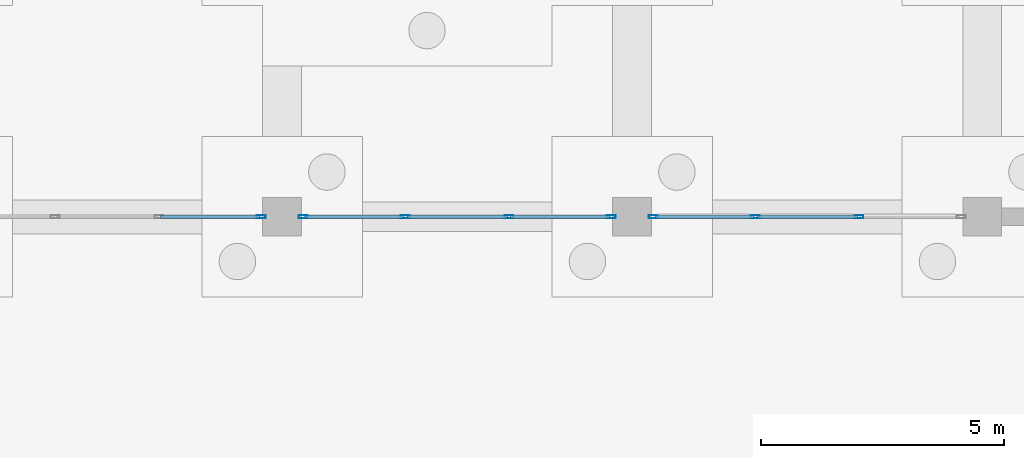
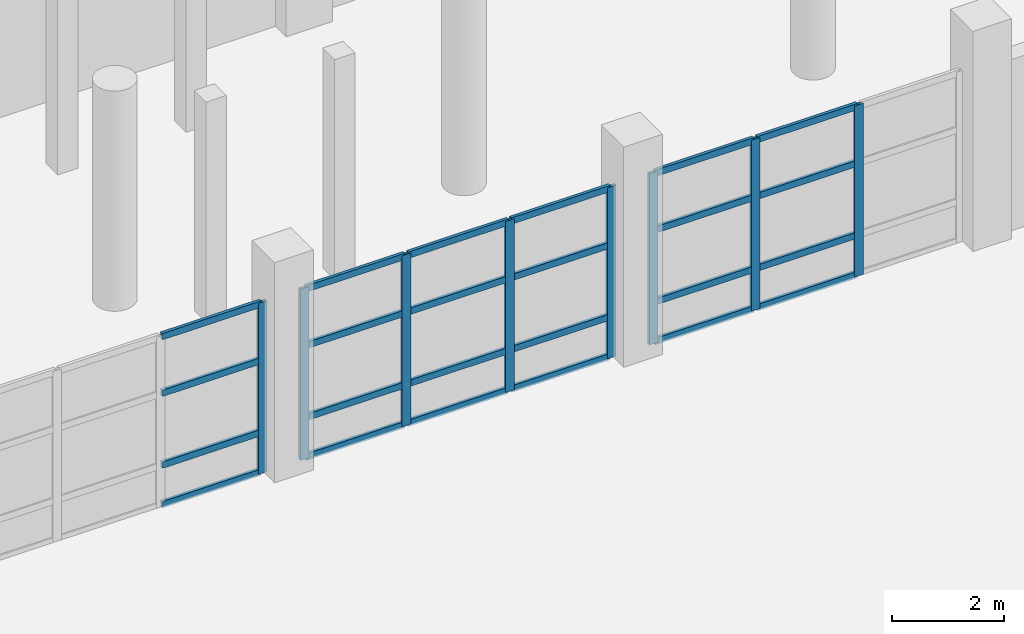
# One storey, part 22 of 42: 32 members, 3 elements without a shape of their own.
"""IFC4 building model written with IfcOpenShell, lengths in metres."""

from ifc_helpers import new_model, si_unit, direction, frame, origin, origin_2d, place, context, subcontext, project, spatial, hollow_rectangle, extrude, material, material_profile, profile_set, type_object, element, aggregate, save


model = new_model("IFC4")

# Units and contexts
model_context = context("Model", 3, precision=1e-05, world=origin(), true_north=direction((0.0, 1.0)))
body_context = subcontext(model_context, "Body", "Model", "MODEL_VIEW")
ifc_project = project(units=[si_unit("LENGTHUNIT", "METRE"), si_unit("AREAUNIT", "SQUARE_METRE"), si_unit("VOLUMEUNIT", "CUBIC_METRE"), si_unit("PLANEANGLEUNIT", "RADIAN"), si_unit("MASSUNIT", "GRAM", prefix="KILO")], contexts=[model_context])

# Site, building, storey
site_placement = place(None, origin())
site = spatial("IfcSite", under=ifc_project, at=site_placement, CompositionType="ELEMENT")
building_placement = place(site_placement, origin())
building = spatial("IfcBuilding", under=site, at=building_placement, Name="Pellamere Symphony Hall", CompositionType="ELEMENT")
storey_placement = place(building_placement, frame((0.0, 0.0, -4.800048828125)))
storey = spatial("IfcBuildingStorey", under=building, at=storey_placement, Name="B1", CompositionType="ELEMENT", Elevation=-4.800048828125)

# Curtain wall, member
ifc_material_1 = material(Name="Thermally Broken Anodised Aluminium 6063-T6 Curtain Wall", Category="aluminium")
curtain_wall_type = type_object("IfcCurtainWallType", Name="Curtain Wall CW-02 (Winter-Garden South Concourse Curtain Wall)", PredefinedType="NOTDEFINED", material=ifc_material_1)
curtain_wall_1_placement = place(storey_placement, origin())
curtain_wall_1 = element("IfcCurtainWall", 1, at=curtain_wall_1_placement, inside=storey, type_object=curtain_wall_type, Name="Winter-Garden South Curtain Wall (B1 Bay 4)", PredefinedType="NOTDEFINED")
ifc_material_2 = material(Name="Anodised Architectural Aluminium 6063-T6", Category="aluminium")
ifc_material_profile_1 = material_profile(ifc_material_2, hollow_rectangle(XDim=0.06494140625, YDim=0.179931640625, WallThickness=0.00390625, at=origin_2d()), Name="ALU-M65X180X4")
ifc_profile_set_1 = profile_set([ifc_material_profile_1], Name="Anodised Architectural Aluminium 6063-T6")
member_type_1 = type_object("IfcMemberType", Name="Curtain Wall Mullion ML-02 ALU-M65X180X4", PredefinedType="MULLION", material=ifc_profile_set_1)
member_1_placement = place(storey_placement, frame((79.967529296875, 18.0, 0.0), z_axis=(0.0, 0.0, 1.0), x_axis=(0.0, 1.0, 0.0)))
member_1 = element("IfcMember", 2, at=member_1_placement, type_object=member_type_1, Name="CW2-059 crystal mullion 4", PredefinedType="MULLION", context=body_context, shape_type="SweptSolid", body=[
    extrude(hollow_rectangle(XDim=0.06494140625, YDim=0.179931640625, WallThickness=0.00390625, at=origin_2d()), origin(), (0.0, 0.0, 1.0), 3.72998046875),
])

# Curtain wall, members
curtain_wall_2_placement = place(storey_placement, origin())
curtain_wall_2 = element("IfcCurtainWall", 3, at=curtain_wall_2_placement, inside=storey, type_object=curtain_wall_type, Name="Winter-Garden South Curtain Wall (B1 Bay 5)", PredefinedType="NOTDEFINED")
member_2_placement = place(storey_placement, frame((80.83251953125, 18.0, 0.0), z_axis=(0.0, 0.0, 1.0), x_axis=(0.0, 1.0, 0.0)))
member_2 = element("IfcMember", 4, at=member_2_placement, type_object=member_type_1, Name="CW2-060 crystal mullion 1", PredefinedType="MULLION", context=body_context, shape_type="SweptSolid", body=[
    extrude(hollow_rectangle(XDim=0.06494140625, YDim=0.179931640625, WallThickness=0.00390625, at=origin_2d()), origin(), (0.0, 0.0, 1.0), 3.72998046875),
])
member_3_placement = place(storey_placement, frame((82.933349609375, 18.0, 0.0), z_axis=(0.0, 0.0, 1.0), x_axis=(0.0, 1.0, 0.0)))
member_3 = element("IfcMember", 5, at=member_3_placement, type_object=member_type_1, Name="CW2-060 crystal mullion 2", PredefinedType="MULLION", context=body_context, shape_type="SweptSolid", body=[
    extrude(hollow_rectangle(XDim=0.06494140625, YDim=0.179931640625, WallThickness=0.00390625, at=origin_2d()), origin(), (0.0, 0.0, 1.0), 3.72998046875),
])
member_4_placement = place(storey_placement, frame((85.066650390625, 18.0, 0.0), z_axis=(0.0, 0.0, 1.0), x_axis=(0.0, 1.0, 0.0)))
member_4 = element("IfcMember", 6, at=member_4_placement, type_object=member_type_1, Name="CW2-060 crystal mullion 3", PredefinedType="MULLION", context=body_context, shape_type="SweptSolid", body=[
    extrude(hollow_rectangle(XDim=0.06494140625, YDim=0.179931640625, WallThickness=0.00390625, at=origin_2d()), origin(), (0.0, 0.0, 1.0), 3.72998046875),
])
member_5_placement = place(storey_placement, frame((87.16748046875, 18.0, 0.0), z_axis=(0.0, 0.0, 1.0), x_axis=(0.0, 1.0, 0.0)))
member_5 = element("IfcMember", 7, at=member_5_placement, type_object=member_type_1, Name="CW2-060 crystal mullion 4", PredefinedType="MULLION", context=body_context, shape_type="SweptSolid", body=[
    extrude(hollow_rectangle(XDim=0.06494140625, YDim=0.179931640625, WallThickness=0.00390625, at=origin_2d()), origin(), (0.0, 0.0, 1.0), 3.72998046875),
])

curtain_wall_3_placement = place(storey_placement, origin())
curtain_wall_3 = element("IfcCurtainWall", 8, at=curtain_wall_3_placement, inside=storey, type_object=curtain_wall_type, Name="Winter-Garden South Curtain Wall (B1 Bay 6)", PredefinedType="NOTDEFINED")
member_6_placement = place(storey_placement, frame((88.032470703125, 18.0, 0.0), z_axis=(0.0, 0.0, 1.0), x_axis=(0.0, 1.0, 0.0)))
member_6 = element("IfcMember", 9, at=member_6_placement, type_object=member_type_1, Name="CW2-061 crystal mullion 1", PredefinedType="MULLION", context=body_context, shape_type="SweptSolid", body=[
    extrude(hollow_rectangle(XDim=0.06494140625, YDim=0.179931640625, WallThickness=0.00390625, at=origin_2d()), origin(), (0.0, 0.0, 1.0), 3.72998046875),
])
member_7_placement = place(storey_placement, frame((90.13330078125, 18.0, 0.0), z_axis=(0.0, 0.0, 1.0), x_axis=(0.0, 1.0, 0.0)))
member_7 = element("IfcMember", 10, at=member_7_placement, type_object=member_type_1, Name="CW2-061 crystal mullion 2", PredefinedType="MULLION", context=body_context, shape_type="SweptSolid", body=[
    extrude(hollow_rectangle(XDim=0.06494140625, YDim=0.179931640625, WallThickness=0.00390625, at=origin_2d()), origin(), (0.0, 0.0, 1.0), 3.72998046875),
])
member_8_placement = place(storey_placement, frame((92.2666015625, 18.0, 0.0), z_axis=(0.0, 0.0, 1.0), x_axis=(0.0, 1.0, 0.0)))
member_8 = element("IfcMember", 11, at=member_8_placement, type_object=member_type_1, Name="CW2-061 crystal mullion 3", PredefinedType="MULLION", context=body_context, shape_type="SweptSolid", body=[
    extrude(hollow_rectangle(XDim=0.06494140625, YDim=0.179931640625, WallThickness=0.00390625, at=origin_2d()), origin(), (0.0, 0.0, 1.0), 3.72998046875),
])

# Member
ifc_material_profile_2 = material_profile(ifc_material_2, hollow_rectangle(XDim=0.06494140625, YDim=0.139892578125, WallThickness=0.00390625, at=origin_2d()), Name="ALU-T65X140X4")
ifc_profile_set_2 = profile_set([ifc_material_profile_2], Name="Anodised Architectural Aluminium 6063-T6")
member_type_2 = type_object("IfcMemberType", Name="Curtain Wall Transom TR-02 ALU-T65X140X4", PredefinedType="USERDEFINED", material=ifc_profile_set_2)
member_9_placement = place(storey_placement, frame((77.899169921875, 18.0, 0.032470703125), z_axis=(1.0, 0.0, 0.0), x_axis=(0.0, 1.0, 0.0)))
member_9 = element("IfcMember", 12, at=member_9_placement, type_object=member_type_2, Name="CW2-059 crystal transom 3.1", ObjectType="TRANSOM", PredefinedType="USERDEFINED", context=body_context, shape_type="SweptSolid", body=[
    extrude(hollow_rectangle(XDim=0.06494140625, YDim=0.139892578125, WallThickness=0.00390625, at=origin_2d()), origin(), (0.0, 0.0, 1.0), 2.035888671875),
])

member_10_placement = place(storey_placement, frame((77.899169921875, 18.0, 0.895263671875), z_axis=(1.0, 0.0, 0.0), x_axis=(0.0, 1.0, 0.0)))
member_10 = element("IfcMember", 13, at=member_10_placement, type_object=member_type_2, Name="CW2-059 crystal transom 3.2", ObjectType="TRANSOM", PredefinedType="USERDEFINED", context=body_context, shape_type="SweptSolid", body=[
    extrude(hollow_rectangle(XDim=0.06494140625, YDim=0.139892578125, WallThickness=0.00390625, at=origin_2d()), origin(), (0.0, 0.0, 1.0), 2.035888671875),
])

member_11_placement = place(storey_placement, frame((77.899169921875, 18.0, 2.4619140625), z_axis=(1.0, 0.0, 0.0), x_axis=(0.0, 1.0, 0.0)))
member_11 = element("IfcMember", 14, at=member_11_placement, type_object=member_type_2, Name="CW2-059 crystal transom 3.3", ObjectType="TRANSOM", PredefinedType="USERDEFINED", context=body_context, shape_type="SweptSolid", body=[
    extrude(hollow_rectangle(XDim=0.06494140625, YDim=0.139892578125, WallThickness=0.00390625, at=origin_2d()), origin(), (0.0, 0.0, 1.0), 2.035888671875),
])

member_12_placement = place(storey_placement, frame((77.899169921875, 18.0, 3.697509765625), z_axis=(1.0, 0.0, 0.0), x_axis=(0.0, 1.0, 0.0)))
member_12 = element("IfcMember", 15, at=member_12_placement, type_object=member_type_2, Name="CW2-059 crystal transom 3.4", ObjectType="TRANSOM", PredefinedType="USERDEFINED", context=body_context, shape_type="SweptSolid", body=[
    extrude(hollow_rectangle(XDim=0.06494140625, YDim=0.139892578125, WallThickness=0.00390625, at=origin_2d()), origin(), (0.0, 0.0, 1.0), 2.035888671875),
])

aggregate(curtain_wall_1, [member_1, member_9, member_10, member_11, member_12])

member_13_placement = place(storey_placement, frame((80.864990234375, 18.0, 0.032470703125), z_axis=(1.0, 0.0, 0.0), x_axis=(0.0, 1.0, 0.0)))
member_13 = element("IfcMember", 16, at=member_13_placement, type_object=member_type_2, Name="CW2-060 crystal transom 1.1", ObjectType="TRANSOM", PredefinedType="USERDEFINED", context=body_context, shape_type="SweptSolid", body=[
    extrude(hollow_rectangle(XDim=0.06494140625, YDim=0.139892578125, WallThickness=0.00390625, at=origin_2d()), origin(), (0.0, 0.0, 1.0), 2.035888671875),
])

member_14_placement = place(storey_placement, frame((80.864990234375, 18.0, 0.895263671875), z_axis=(1.0, 0.0, 0.0), x_axis=(0.0, 1.0, 0.0)))
member_14 = element("IfcMember", 17, at=member_14_placement, type_object=member_type_2, Name="CW2-060 crystal transom 1.2", ObjectType="TRANSOM", PredefinedType="USERDEFINED", context=body_context, shape_type="SweptSolid", body=[
    extrude(hollow_rectangle(XDim=0.06494140625, YDim=0.139892578125, WallThickness=0.00390625, at=origin_2d()), origin(), (0.0, 0.0, 1.0), 2.035888671875),
])

member_15_placement = place(storey_placement, frame((80.864990234375, 18.0, 2.4619140625), z_axis=(1.0, 0.0, 0.0), x_axis=(0.0, 1.0, 0.0)))
member_15 = element("IfcMember", 18, at=member_15_placement, type_object=member_type_2, Name="CW2-060 crystal transom 1.3", ObjectType="TRANSOM", PredefinedType="USERDEFINED", context=body_context, shape_type="SweptSolid", body=[
    extrude(hollow_rectangle(XDim=0.06494140625, YDim=0.139892578125, WallThickness=0.00390625, at=origin_2d()), origin(), (0.0, 0.0, 1.0), 2.035888671875),
])

member_16_placement = place(storey_placement, frame((80.864990234375, 18.0, 3.697509765625), z_axis=(1.0, 0.0, 0.0), x_axis=(0.0, 1.0, 0.0)))
member_16 = element("IfcMember", 19, at=member_16_placement, type_object=member_type_2, Name="CW2-060 crystal transom 1.4", ObjectType="TRANSOM", PredefinedType="USERDEFINED", context=body_context, shape_type="SweptSolid", body=[
    extrude(hollow_rectangle(XDim=0.06494140625, YDim=0.139892578125, WallThickness=0.00390625, at=origin_2d()), origin(), (0.0, 0.0, 1.0), 2.035888671875),
])

member_17_placement = place(storey_placement, frame((82.9658203125, 18.0, 0.032470703125), z_axis=(1.0, 0.0, 0.0), x_axis=(0.0, 1.0, 0.0)))
member_17 = element("IfcMember", 20, at=member_17_placement, type_object=member_type_2, Name="CW2-060 crystal transom 2.1", ObjectType="TRANSOM", PredefinedType="USERDEFINED", context=body_context, shape_type="SweptSolid", body=[
    extrude(hollow_rectangle(XDim=0.06494140625, YDim=0.139892578125, WallThickness=0.00390625, at=origin_2d()), origin(), (0.0, 0.0, 1.0), 2.068359375),
])

member_18_placement = place(storey_placement, frame((82.9658203125, 18.0, 0.895263671875), z_axis=(1.0, 0.0, 0.0), x_axis=(0.0, 1.0, 0.0)))
member_18 = element("IfcMember", 21, at=member_18_placement, type_object=member_type_2, Name="CW2-060 crystal transom 2.2", ObjectType="TRANSOM", PredefinedType="USERDEFINED", context=body_context, shape_type="SweptSolid", body=[
    extrude(hollow_rectangle(XDim=0.06494140625, YDim=0.139892578125, WallThickness=0.00390625, at=origin_2d()), origin(), (0.0, 0.0, 1.0), 2.068359375),
])

member_19_placement = place(storey_placement, frame((82.9658203125, 18.0, 2.4619140625), z_axis=(1.0, 0.0, 0.0), x_axis=(0.0, 1.0, 0.0)))
member_19 = element("IfcMember", 22, at=member_19_placement, type_object=member_type_2, Name="CW2-060 crystal transom 2.3", ObjectType="TRANSOM", PredefinedType="USERDEFINED", context=body_context, shape_type="SweptSolid", body=[
    extrude(hollow_rectangle(XDim=0.06494140625, YDim=0.139892578125, WallThickness=0.00390625, at=origin_2d()), origin(), (0.0, 0.0, 1.0), 2.068359375),
])

member_20_placement = place(storey_placement, frame((82.9658203125, 18.0, 3.697509765625), z_axis=(1.0, 0.0, 0.0), x_axis=(0.0, 1.0, 0.0)))
member_20 = element("IfcMember", 23, at=member_20_placement, type_object=member_type_2, Name="CW2-060 crystal transom 2.4", ObjectType="TRANSOM", PredefinedType="USERDEFINED", context=body_context, shape_type="SweptSolid", body=[
    extrude(hollow_rectangle(XDim=0.06494140625, YDim=0.139892578125, WallThickness=0.00390625, at=origin_2d()), origin(), (0.0, 0.0, 1.0), 2.068359375),
])

member_21_placement = place(storey_placement, frame((85.09912109375, 18.0, 0.032470703125), z_axis=(1.0, 0.0, 0.0), x_axis=(0.0, 1.0, 0.0)))
member_21 = element("IfcMember", 24, at=member_21_placement, type_object=member_type_2, Name="CW2-060 crystal transom 3.1", ObjectType="TRANSOM", PredefinedType="USERDEFINED", context=body_context, shape_type="SweptSolid", body=[
    extrude(hollow_rectangle(XDim=0.06494140625, YDim=0.139892578125, WallThickness=0.00390625, at=origin_2d()), origin(), (0.0, 0.0, 1.0), 2.035888671875),
])

member_22_placement = place(storey_placement, frame((85.09912109375, 18.0, 0.895263671875), z_axis=(1.0, 0.0, 0.0), x_axis=(0.0, 1.0, 0.0)))
member_22 = element("IfcMember", 25, at=member_22_placement, type_object=member_type_2, Name="CW2-060 crystal transom 3.2", ObjectType="TRANSOM", PredefinedType="USERDEFINED", context=body_context, shape_type="SweptSolid", body=[
    extrude(hollow_rectangle(XDim=0.06494140625, YDim=0.139892578125, WallThickness=0.00390625, at=origin_2d()), origin(), (0.0, 0.0, 1.0), 2.035888671875),
])

member_23_placement = place(storey_placement, frame((85.09912109375, 18.0, 2.4619140625), z_axis=(1.0, 0.0, 0.0), x_axis=(0.0, 1.0, 0.0)))
member_23 = element("IfcMember", 26, at=member_23_placement, type_object=member_type_2, Name="CW2-060 crystal transom 3.3", ObjectType="TRANSOM", PredefinedType="USERDEFINED", context=body_context, shape_type="SweptSolid", body=[
    extrude(hollow_rectangle(XDim=0.06494140625, YDim=0.139892578125, WallThickness=0.00390625, at=origin_2d()), origin(), (0.0, 0.0, 1.0), 2.035888671875),
])

member_24_placement = place(storey_placement, frame((85.09912109375, 18.0, 3.697509765625), z_axis=(1.0, 0.0, 0.0), x_axis=(0.0, 1.0, 0.0)))
member_24 = element("IfcMember", 27, at=member_24_placement, type_object=member_type_2, Name="CW2-060 crystal transom 3.4", ObjectType="TRANSOM", PredefinedType="USERDEFINED", context=body_context, shape_type="SweptSolid", body=[
    extrude(hollow_rectangle(XDim=0.06494140625, YDim=0.139892578125, WallThickness=0.00390625, at=origin_2d()), origin(), (0.0, 0.0, 1.0), 2.035888671875),
])

aggregate(curtain_wall_2, [member_2, member_3, member_4, member_5, member_13, member_14, member_15, member_16, member_17, member_18, member_19, member_20, member_21, member_22, member_23, member_24])

member_25_placement = place(storey_placement, frame((88.06494140625, 18.0, 0.032470703125), z_axis=(1.0, 0.0, 0.0), x_axis=(0.0, 1.0, 0.0)))
member_25 = element("IfcMember", 28, at=member_25_placement, type_object=member_type_2, Name="CW2-061 crystal transom 1.1", ObjectType="TRANSOM", PredefinedType="USERDEFINED", context=body_context, shape_type="SweptSolid", body=[
    extrude(hollow_rectangle(XDim=0.06494140625, YDim=0.139892578125, WallThickness=0.00390625, at=origin_2d()), origin(), (0.0, 0.0, 1.0), 2.035888671875),
])

member_26_placement = place(storey_placement, frame((88.06494140625, 18.0, 0.895263671875), z_axis=(1.0, 0.0, 0.0), x_axis=(0.0, 1.0, 0.0)))
member_26 = element("IfcMember", 29, at=member_26_placement, type_object=member_type_2, Name="CW2-061 crystal transom 1.2", ObjectType="TRANSOM", PredefinedType="USERDEFINED", context=body_context, shape_type="SweptSolid", body=[
    extrude(hollow_rectangle(XDim=0.06494140625, YDim=0.139892578125, WallThickness=0.00390625, at=origin_2d()), origin(), (0.0, 0.0, 1.0), 2.035888671875),
])

member_27_placement = place(storey_placement, frame((88.06494140625, 18.0, 2.4619140625), z_axis=(1.0, 0.0, 0.0), x_axis=(0.0, 1.0, 0.0)))
member_27 = element("IfcMember", 30, at=member_27_placement, type_object=member_type_2, Name="CW2-061 crystal transom 1.3", ObjectType="TRANSOM", PredefinedType="USERDEFINED", context=body_context, shape_type="SweptSolid", body=[
    extrude(hollow_rectangle(XDim=0.06494140625, YDim=0.139892578125, WallThickness=0.00390625, at=origin_2d()), origin(), (0.0, 0.0, 1.0), 2.035888671875),
])

member_28_placement = place(storey_placement, frame((88.06494140625, 18.0, 3.697509765625), z_axis=(1.0, 0.0, 0.0), x_axis=(0.0, 1.0, 0.0)))
member_28 = element("IfcMember", 31, at=member_28_placement, type_object=member_type_2, Name="CW2-061 crystal transom 1.4", ObjectType="TRANSOM", PredefinedType="USERDEFINED", context=body_context, shape_type="SweptSolid", body=[
    extrude(hollow_rectangle(XDim=0.06494140625, YDim=0.139892578125, WallThickness=0.00390625, at=origin_2d()), origin(), (0.0, 0.0, 1.0), 2.035888671875),
])

member_29_placement = place(storey_placement, frame((90.165771484375, 18.0, 0.032470703125), z_axis=(1.0, 0.0, 0.0), x_axis=(0.0, 1.0, 0.0)))
member_29 = element("IfcMember", 32, at=member_29_placement, type_object=member_type_2, Name="CW2-061 crystal transom 2.1", ObjectType="TRANSOM", PredefinedType="USERDEFINED", context=body_context, shape_type="SweptSolid", body=[
    extrude(hollow_rectangle(XDim=0.06494140625, YDim=0.139892578125, WallThickness=0.00390625, at=origin_2d()), origin(), (0.0, 0.0, 1.0), 2.068359375),
])

member_30_placement = place(storey_placement, frame((90.165771484375, 18.0, 0.895263671875), z_axis=(1.0, 0.0, 0.0), x_axis=(0.0, 1.0, 0.0)))
member_30 = element("IfcMember", 33, at=member_30_placement, type_object=member_type_2, Name="CW2-061 crystal transom 2.2", ObjectType="TRANSOM", PredefinedType="USERDEFINED", context=body_context, shape_type="SweptSolid", body=[
    extrude(hollow_rectangle(XDim=0.06494140625, YDim=0.139892578125, WallThickness=0.00390625, at=origin_2d()), origin(), (0.0, 0.0, 1.0), 2.068359375),
])

member_31_placement = place(storey_placement, frame((90.165771484375, 18.0, 2.4619140625), z_axis=(1.0, 0.0, 0.0), x_axis=(0.0, 1.0, 0.0)))
member_31 = element("IfcMember", 34, at=member_31_placement, type_object=member_type_2, Name="CW2-061 crystal transom 2.3", ObjectType="TRANSOM", PredefinedType="USERDEFINED", context=body_context, shape_type="SweptSolid", body=[
    extrude(hollow_rectangle(XDim=0.06494140625, YDim=0.139892578125, WallThickness=0.00390625, at=origin_2d()), origin(), (0.0, 0.0, 1.0), 2.068359375),
])

member_32_placement = place(storey_placement, frame((90.165771484375, 18.0, 3.697509765625), z_axis=(1.0, 0.0, 0.0), x_axis=(0.0, 1.0, 0.0)))
member_32 = element("IfcMember", 35, at=member_32_placement, type_object=member_type_2, Name="CW2-061 crystal transom 2.4", ObjectType="TRANSOM", PredefinedType="USERDEFINED", context=body_context, shape_type="SweptSolid", body=[
    extrude(hollow_rectangle(XDim=0.06494140625, YDim=0.139892578125, WallThickness=0.00390625, at=origin_2d()), origin(), (0.0, 0.0, 1.0), 2.068359375),
])

aggregate(curtain_wall_3, [member_6, member_7, member_8, member_25, member_26, member_27, member_28, member_29, member_30, member_31, member_32])

save(model, "model.ifc")
